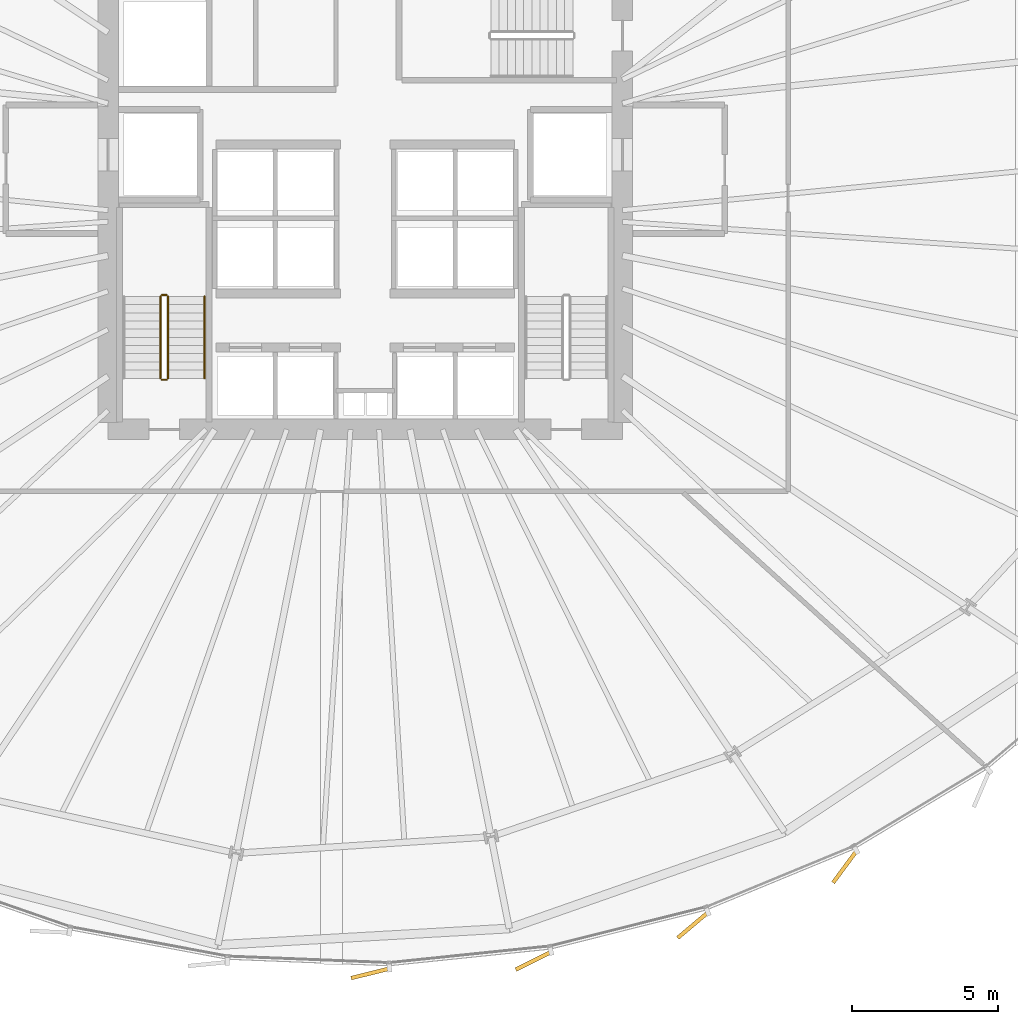
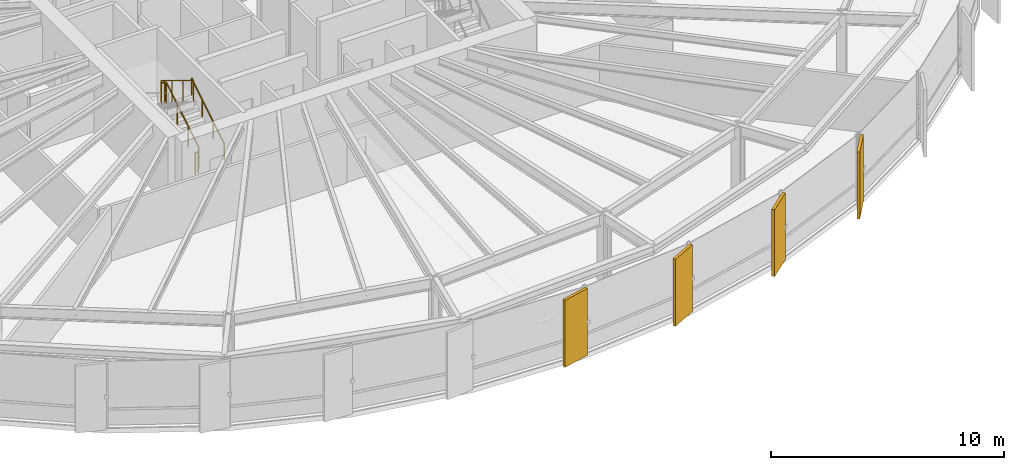
# One storey, part 38 of 42: 5 railings, 4 coverings.
"""IFC4 building model written with IfcOpenShell, lengths in metres."""

import ifcopenshell
import ifcopenshell.guid

model = None  # the IFC model being written
_history = None  # IfcOwnerHistory: only IFC2X3 demands one
_inside = {}  # id of a spatial element -> (the spatial element, [elements in it])
_under = {}  # id of a project, library or spatial element -> (it, [spatial elements below it])
_declared = {}  # id of a project -> (the project, [libraries it declares])
_typed = {}  # id of a type object -> (the type object, [elements of that type])
_made_of = {}  # id of a material, layer set ... -> (it, [elements and type objects made of it])


def new_model(schema):
    """Start an empty IFC model of exactly this schema.

    Asked for "IFC4X3", IfcOpenShell would pick the latest addendum, in which some entities
    have other attributes; the version numbers below select the first issue.
    IFC2X3 requires an IfcOwnerHistory on every rooted entity: one is made here for all.
    """
    global model, _history
    if schema == "IFC4X3":
        model = ifcopenshell.file(schema_version=(4, 3, 0, 0))
    else:
        model = ifcopenshell.file(schema=schema)
    _inside.clear()
    _under.clear()
    _declared.clear()
    _typed.clear()
    _made_of.clear()
    _history = None
    if model.schema == "IFC2X3":
        org = make("IfcOrganization", Name="unknown")
        user = make(
            "IfcPersonAndOrganization",
            ThePerson=make("IfcPerson", FamilyName="unknown"),
            TheOrganization=org,
        )
        app = make(
            "IfcApplication",
            ApplicationDeveloper=org,
            Version="unknown",
            ApplicationFullName="unknown",
            ApplicationIdentifier="unknown",
        )
        _history = make(
            "IfcOwnerHistory",
            OwningUser=user,
            OwningApplication=app,
            ChangeAction="ADDED",
            CreationDate=0,
        )
    return model


def make(cls, **values):
    """One entity of the class cls with the attributes given. An attribute that is None is left unset."""
    return model.create_entity(
        cls, **{name: value for name, value in values.items() if value is not None}
    )


def rooted(cls, **values):
    """An entity with a GlobalId (a new one), such as an element, a storey or a relation."""
    return make(cls, GlobalId=ifcopenshell.guid.new(), OwnerHistory=_history, **values)


def si_unit(unit_type, name, prefix=None):
    """IfcSIUnit, for example si_unit("LENGTHUNIT", "METRE", prefix="MILLI")."""
    return make("IfcSIUnit", UnitType=unit_type, Prefix=prefix, Name=name)


def assignment(units):
    """IfcUnitAssignment: the units of a project."""
    return None if units is None else make("IfcUnitAssignment", Units=units)


def point(xyz):
    """IfcCartesianPoint."""
    return None if xyz is None else make("IfcCartesianPoint", Coordinates=xyz)


def direction(xyz):
    """IfcDirection."""
    return None if xyz is None else make("IfcDirection", DirectionRatios=xyz)


def frame(location, z_axis=None, x_axis=None):
    """IfcAxis2Placement3D, a coordinate frame: its origin and axes. An axis left out is left unset."""
    return make(
        "IfcAxis2Placement3D",
        Location=point(location),
        Axis=direction(z_axis),
        RefDirection=direction(x_axis),
    )


def frame_2d(location, x_axis=None):
    """IfcAxis2Placement2D, a coordinate frame in the plane: its origin and x axis."""
    return make(
        "IfcAxis2Placement2D", Location=point(location), RefDirection=direction(x_axis)
    )


def origin():
    """The frame at (0, 0, 0) with its axes left unset."""
    return frame((0.0, 0.0, 0.0))


def origin_2d():
    """The frame at (0, 0) in the plane with its x axis left unset."""
    return frame_2d((0.0, 0.0))


def place(relative_to, where):
    """IfcLocalPlacement: puts the frame where relative to a parent placement (None: the world)."""
    return make(
        "IfcLocalPlacement", PlacementRelTo=relative_to, RelativePlacement=where
    )


def context(
    kind, dimensions, precision=None, world=None, true_north=None, identifier=None
):
    """IfcGeometricRepresentationContext, for example the 3D "Model" context."""
    return make(
        "IfcGeometricRepresentationContext",
        ContextIdentifier=identifier,
        ContextType=kind,
        CoordinateSpaceDimension=dimensions,
        Precision=precision,
        WorldCoordinateSystem=world,
        TrueNorth=true_north,
    )


def subcontext(parent, identifier, kind, view, scale=None):
    """IfcGeometricRepresentationSubContext, for example "Body" below "Model"."""
    return make(
        "IfcGeometricRepresentationSubContext",
        ContextIdentifier=identifier,
        ContextType=kind,
        ParentContext=parent,
        TargetScale=scale,
        TargetView=view,
    )


def project(units=None, contexts=None):
    """IfcProject with its units and contexts."""
    return rooted(
        "IfcProject",
        Name="project",
        RepresentationContexts=contexts,
        UnitsInContext=assignment(units),
    )


def spatial(cls, under=None, at=None, **own):
    """A site, building, storey or space (cls), placed at a placement, below another one or the project."""
    s = rooted(cls, ObjectPlacement=at, **own)
    if under is not None:
        _under.setdefault(under.id(), (under, []))[1].append(s)
    return s


def profile(cls, at=None, kind="AREA", **sizes):
    """A parametric profile (cls). Its sizes go by their IFC names, for example OverallWidth=200.0."""
    return make(cls, ProfileType=kind, Position=at, **sizes)


def rectangle(**sizes):
    """IfcRectangleProfileDef."""
    return profile("IfcRectangleProfileDef", **sizes)


def circle(**sizes):
    """IfcCircleProfileDef."""
    return profile("IfcCircleProfileDef", **sizes)


def extrude(swept, where, along, depth):
    """IfcExtrudedAreaSolid: the profile swept, set in the frame where, extruded along a direction by depth."""
    return make(
        "IfcExtrudedAreaSolid",
        SweptArea=swept,
        Position=where,
        ExtrudedDirection=direction(along),
        Depth=depth,
    )


def shape(context_of_items, identifier, shape_type, items):
    """IfcShapeRepresentation: the items that make up one representation, for example the "Body"."""
    return make(
        "IfcShapeRepresentation",
        ContextOfItems=context_of_items,
        RepresentationIdentifier=identifier,
        RepresentationType=shape_type,
        Items=items,
    )


def source(mapping_origin, context_of_items, identifier, shape_type, items):
    """IfcRepresentationMap: a shape defined once, which mapped items show again and again."""
    return make(
        "IfcRepresentationMap",
        MappingOrigin=mapping_origin,
        MappedRepresentation=shape(context_of_items, identifier, shape_type, items),
    )


def transform(
    local_origin,
    x_axis=None,
    y_axis=None,
    z_axis=None,
    scale=None,
    scale2=None,
    scale3=None,
    uniform=True,
):
    """IfcCartesianTransformationOperator3D, or its non-uniform kind. x_axis, y_axis, z_axis: its Axis1, 2, 3."""
    if uniform:
        return make(
            "IfcCartesianTransformationOperator3D",
            Axis1=direction(x_axis),
            Axis2=direction(y_axis),
            LocalOrigin=point(local_origin),
            Scale=scale,
            Axis3=direction(z_axis),
        )
    return make(
        "IfcCartesianTransformationOperator3DnonUniform",
        Axis1=direction(x_axis),
        Axis2=direction(y_axis),
        LocalOrigin=point(local_origin),
        Scale=scale,
        Axis3=direction(z_axis),
        Scale2=scale2,
        Scale3=scale3,
    )


def mapped(mapping_source, mapping_target):
    """IfcMappedItem: shows the shape of a source again, moved by a transform."""
    return make(
        "IfcMappedItem", MappingSource=mapping_source, MappingTarget=mapping_target
    )


def material(Name=None, Category=None):
    """IfcMaterial."""
    return make("IfcMaterial", Name=Name, Category=Category)


def layer(
    of_material, thickness, ventilated=None, Name=None, Category=None, Priority=None
):
    """IfcMaterialLayer: one layer of a wall or slab, of a material (None: an air gap)."""
    return make(
        "IfcMaterialLayer",
        Material=of_material,
        LayerThickness=thickness,
        IsVentilated=ventilated,
        Name=Name,
        Category=Category,
        Priority=Priority,
    )


def layer_set(layers, Name=None):
    """IfcMaterialLayerSet."""
    return make("IfcMaterialLayerSet", MaterialLayers=layers, LayerSetName=Name)


def made_of(thing, what):
    """Note that an element or type object is made of a material, layer set ...; save() writes the relation."""
    if what is not None:
        _made_of.setdefault(what.id(), (what, []))[1].append(thing)
    return thing


def type_object(cls, material=None, **own):
    """A type object (cls), such as IfcWallType, which elements share."""
    return made_of(rooted(cls, **own), material)


def element(
    cls,
    number,
    at=None,
    inside=None,
    cuts=None,
    type_object=None,
    material=None,
    context=None,
    identifier="Body",
    shape_type=None,
    held_by="IfcProductDefinitionShape",
    body=None,
    shapes=None,
    **own,
):
    """One element of the class cls, such as IfcWall. Its Tag is "e" and its number.

    at: its placement. inside: the storey or other place that contains it. cuts: it is an
    opening in that element (IfcRelVoidsElement). A single representation is given by context,
    identifier, shape_type and body (its items); several are given by shapes. held_by: the class
    of the entity that holds the representations. save() writes the other relations.
    """
    e = rooted(cls, Tag="e%d" % number, ObjectPlacement=at, **own)
    if body is not None:
        shapes = [shape(context, identifier, shape_type, body)]
    if shapes is not None:
        e.Representation = make(held_by, Representations=shapes)
    if inside is not None:
        _inside.setdefault(inside.id(), (inside, []))[1].append(e)
    if cuts is not None:
        rooted(
            "IfcRelVoidsElement", RelatingBuildingElement=cuts, RelatedOpeningElement=e
        )
    if type_object is not None:
        _typed.setdefault(type_object.id(), (type_object, []))[1].append(e)
    return made_of(e, material)


def aggregate(whole, parts):
    """IfcRelAggregates: a whole, such as a stair, and the parts it consists of."""
    return rooted("IfcRelAggregates", RelatingObject=whole, RelatedObjects=parts)


def save(model, path):
    """Write the relations noted so far, then the file.

    IfcRelAggregates (storeys below a building ...), IfcRelContainedInSpatialStructure (elements
    in a storey), IfcRelDefinesByType, IfcRelAssociatesMaterial and IfcRelDeclares: one each for
    every whole, place, type object, material and project.
    """
    for whole, parts in _under.values():
        aggregate(whole, parts)
    for where, things in _inside.values():
        rooted(
            "IfcRelContainedInSpatialStructure",
            RelatedElements=things,
            RelatingStructure=where,
        )
    for kind, things in _typed.values():
        rooted("IfcRelDefinesByType", RelatedObjects=things, RelatingType=kind)
    for what, things in _made_of.values():
        rooted("IfcRelAssociatesMaterial", RelatedObjects=things, RelatingMaterial=what)
    for by, libraries in _declared.values():
        rooted("IfcRelDeclares", RelatingContext=by, RelatedDefinitions=libraries)
    model.write(path)


model = new_model("IFC4")

# Units and contexts
model_context = context("Model", 3, precision=1e-05, world=origin(), true_north=direction((0.0, 1.0)))
body_context = subcontext(model_context, "Body", "Model", "MODEL_VIEW")
ifc_project = project(units=[si_unit("LENGTHUNIT", "METRE"), si_unit("AREAUNIT", "SQUARE_METRE"), si_unit("VOLUMEUNIT", "CUBIC_METRE"), si_unit("PLANEANGLEUNIT", "RADIAN"), si_unit("MASSUNIT", "GRAM", prefix="KILO"), si_unit("THERMODYNAMICTEMPERATUREUNIT", "KELVIN")], contexts=[model_context])

# Site, building, storey
site_placement = place(None, origin())
site = spatial("IfcSite", under=ifc_project, at=site_placement, CompositionType="ELEMENT")
building_placement = place(site_placement, origin())
building = spatial("IfcBuilding", under=site, at=building_placement, Name="Kethvar Cultural Tower", CompositionType="ELEMENT")
storey_placement = place(building_placement, frame((0.0, 0.0, 37.199951171875)))
storey = spatial("IfcBuildingStorey", under=building, at=storey_placement, Name="L08", CompositionType="ELEMENT", Elevation=37.199951171875)

# Railings
ifc_material_1 = material(Name="Steel S355J2", Category="steel")
railing_type_1 = type_object("IfcRailingType", Name="RL-STAIR-GUARD", PredefinedType="BALUSTRADE", material=ifc_material_1)
railing_1_placement = place(storey_placement, frame((40.050048828125, 21.85009765625, 0.1728515625)))
element("IfcRailing", 1, at=railing_1_placement, inside=storey, type_object=railing_type_1, Name="L08 ST-01 stair guard 1", PredefinedType="BALUSTRADE", context=body_context, shape_type="SweptSolid", body=[
    extrude(circle(Radius=0.02392578125, at=origin_2d()), frame((0.0, 0.0, 1.09619140625), z_axis=(0.0, 0.851069175582, 0.525053576669), x_axis=(-1.0, 0.0, 0.0)), (0.0, 0.0, 1.0), 3.289794921875),
    extrude(circle(Radius=0.02099609375, at=origin_2d()), origin(), (0.0, 0.0, 1.0), 1.072021484375),
    extrude(circle(Radius=0.02099609375, at=origin_2d()), frame((0.0, 0.933349609375, 0.57568359375)), (0.0, 0.0, 1.0), 1.072021484375),
    extrude(circle(Radius=0.02099609375, at=origin_2d()), frame((0.0, 1.866455078125, 1.151611328125)), (0.0, 0.0, 1.0), 1.072021484375),
    extrude(circle(Radius=0.02099609375, at=origin_2d()), frame((0.0, 2.7998046875, 1.727294921875)), (0.0, 0.0, 1.0), 1.072021484375),
])
railing_2_placement = place(storey_placement, frame((40.0, 24.699951171875, 1.900146484375)))
element("IfcRailing", 2, at=railing_2_placement, inside=storey, type_object=railing_type_1, Name="L08 ST-01 stair guard 2", PredefinedType="BALUSTRADE", context=body_context, shape_type="SweptSolid", body=[
    extrude(circle(Radius=0.02392578125, at=origin_2d()), frame((0.0, 0.0, 1.09619140625), z_axis=(-1.0, 0.0, 0.0), x_axis=(0.0, -1.0, 0.0)), (0.0, 0.0, 1.0), 0.159912109375),
    extrude(circle(Radius=0.02099609375, at=origin_2d()), origin(), (0.0, 0.0, 1.0), 1.072021484375),
    extrude(circle(Radius=0.02099609375, at=origin_2d()), frame((-0.159912109375, 0.0, 0.0)), (0.0, 0.0, 1.0), 1.072021484375),
])
railing_3_placement = place(storey_placement, frame((39.7900390625, 24.64990234375, 2.07275390625)))
element("IfcRailing", 3, at=railing_3_placement, inside=storey, type_object=railing_type_1, Name="L08 ST-01 stair guard 3", PredefinedType="BALUSTRADE", context=body_context, shape_type="SweptSolid", body=[
    extrude(circle(Radius=0.02392578125, at=origin_2d()), frame((0.0, 0.0, 1.09619140625), z_axis=(0.0, -0.851069175582, 0.525053576669), x_axis=(1.0, 0.0, 0.0)), (0.0, 0.0, 1.0), 3.289794921875),
    extrude(circle(Radius=0.02099609375, at=origin_2d()), origin(), (0.0, 0.0, 1.0), 1.072021484375),
    extrude(circle(Radius=0.02099609375, at=origin_2d()), frame((0.0, -0.933349609375, 0.57568359375)), (0.0, 0.0, 1.0), 1.072021484375),
    extrude(circle(Radius=0.02099609375, at=origin_2d()), frame((0.0, -1.866455078125, 1.151611328125)), (0.0, 0.0, 1.0), 1.072021484375),
    extrude(circle(Radius=0.02099609375, at=origin_2d()), frame((0.0, -2.7998046875, 1.727294921875)), (0.0, 0.0, 1.0), 1.072021484375),
])
railing_4_placement = place(storey_placement, frame((40.0, 21.800048828125, 0.0)))
element("IfcRailing", 4, at=railing_4_placement, inside=storey, type_object=railing_type_1, Name="L08 ST-01 stair guard 4", PredefinedType="BALUSTRADE", context=body_context, shape_type="SweptSolid", body=[
    extrude(circle(Radius=0.02392578125, at=origin_2d()), frame((0.0, 0.0, 1.09619140625), z_axis=(-1.0, 0.0, 0.0), x_axis=(0.0, -1.0, 0.0)), (0.0, 0.0, 1.0), 0.159912109375),
    extrude(circle(Radius=0.02099609375, at=origin_2d()), origin(), (0.0, 0.0, 1.0), 1.072021484375),
    extrude(circle(Radius=0.02099609375, at=origin_2d()), frame((-0.159912109375, 0.0, 0.0)), (0.0, 0.0, 1.0), 1.072021484375),
])
railing_type_2 = type_object("IfcRailingType", Name="RL-STAIR-HANDRAIL", PredefinedType="HANDRAIL", material=ifc_material_1)
railing_5_placement = place(storey_placement, frame((41.300048828125, 21.85009765625, 0.1728515625)))
element("IfcRailing", 5, at=railing_5_placement, inside=storey, type_object=railing_type_2, Name="L08 ST-01 stair handrail 1", PredefinedType="HANDRAIL", context=body_context, shape_type="SweptSolid", body=[
    extrude(circle(Radius=0.02392578125, at=origin_2d()), frame((0.0, 0.0, 0.8759765625), z_axis=(0.0, 0.851069175582, 0.525053576669), x_axis=(-1.0, 0.0, 0.0)), (0.0, 0.0, 1.0), 3.289794921875),
    extrude(circle(Radius=0.02099609375, at=origin_2d()), origin(), (0.0, 0.0, 1.0), 0.851806640625),
    extrude(circle(Radius=0.02099609375, at=origin_2d()), frame((0.0, 0.933349609375, 0.57568359375)), (0.0, 0.0, 1.0), 0.851806640625),
    extrude(circle(Radius=0.02099609375, at=origin_2d()), frame((0.0, 1.866455078125, 1.151611328125)), (0.0, 0.0, 1.0), 0.851806640625),
    extrude(circle(Radius=0.02099609375, at=origin_2d()), frame((0.0, 2.7998046875, 1.727294921875)), (0.0, 0.0, 1.0), 0.851806640625),
])

# Coverings
ifc_material_2 = material(Name="Extruded Architectural Terracotta", Category="masonry")
ifc_layer = layer(ifc_material_2, 0.135009765625, Name="Extruded Architectural Terracotta", Category="masonry")
ifc_layer_set = layer_set([ifc_layer], Name="Extruded Architectural Terracotta (135 mm)")
covering_type = type_object("IfcCoveringType", Name="Terracotta Facade Fin FIN-01", PredefinedType="CLADDING", material=ifc_layer_set)
shared_shape = source(origin(), body_context, "Body", "SweptSolid", [
    extrude(rectangle(XDim=1.35009765625, YDim=0.135009765625, at=origin_2d()), origin(), (0.0, 0.0, 1.0), 3.510009765625),
])
for number, where, z_axis, x_axis, name in (
    (6, (46.972412109375, 1.48876953125, 0.02001953125), (0.0, 0.0, 1.0), (-0.970716481578, -0.240228042477, 0.0), "L08 Vertical Terracotta Fin 5.4"),
    (7, (52.553955078125, 1.92041015625, 0.02001953125), (0.0, 0.0, 1.0), (-0.893997884961, -0.448071179262, 0.0), "L08 Vertical Terracotta Fin 5.5"),
    (8, (58.00830078125, 3.13720703125, 0.02001953125), (0.0, 0.0, 1.0), (-0.765146195875, -0.643856582585, 0.0), "L08 Vertical Terracotta Fin 5.6"),
    (9, (63.210205078125, 5.13671875, 0.02001953125), (0.0, 0.0, 1.0), (-0.593840246647, -0.804582973635, 0.0), "L08 Vertical Terracotta Fin 6.1"),
):
    element("IfcCovering", number, at=place(storey_placement, frame(where, z_axis=z_axis, x_axis=x_axis)), inside=storey, type_object=covering_type, Name=name, PredefinedType="CLADDING", context=body_context, shape_type="MappedRepresentation", body=[
        mapped(shared_shape, transform((0.0, 0.0, 0.0), scale=1.0)),
    ])

save(model, "model.ifc")
